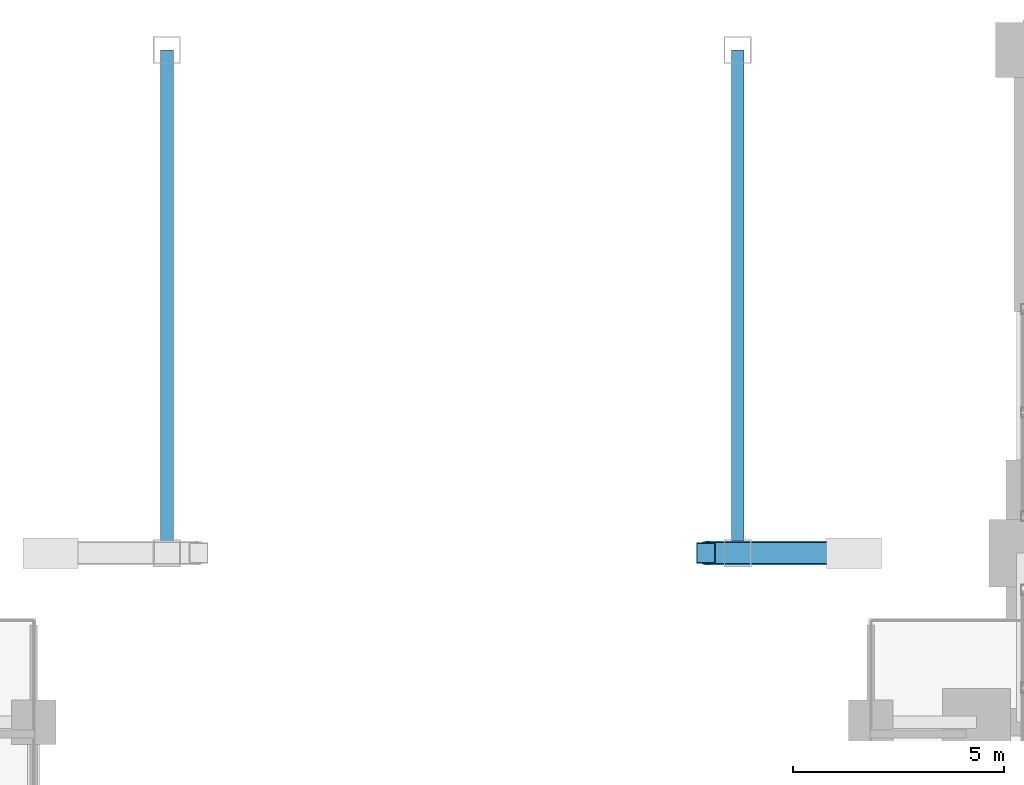
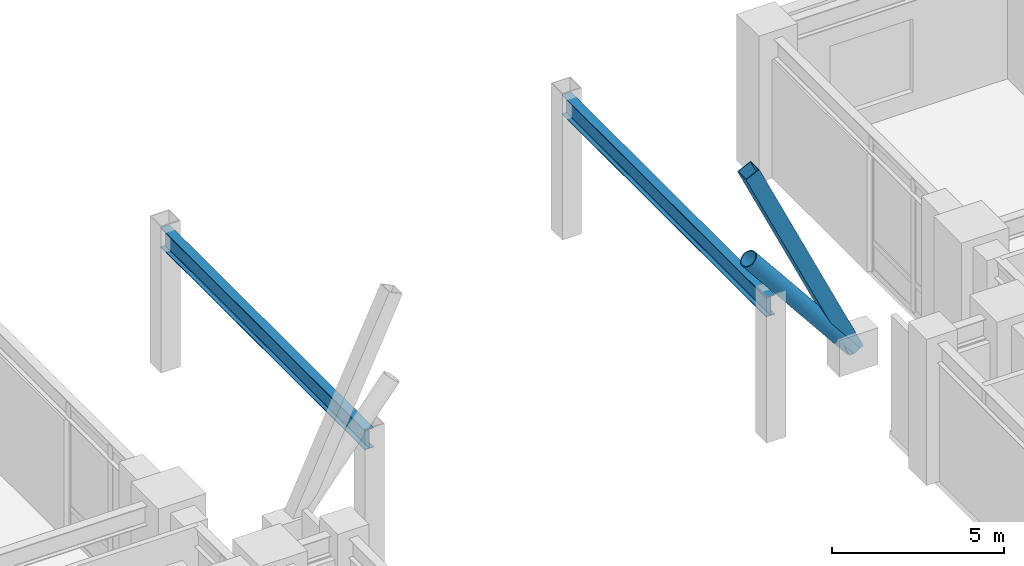
# One storey, part 12 of 26: 2 beams, 2 members.
"""IFC4 building model written with IfcOpenShell, lengths in metres."""

from ifc_helpers import new_model, si_unit, direction, frame, origin, origin_2d, place, context, subcontext, project, spatial, hollow_rectangle, hollow_circle, i_section, extrude, material, material_profile, profile_set, type_object, element, save


model = new_model("IFC4")

# Units and contexts
model_context = context("Model", 3, precision=1e-05, world=origin(), true_north=direction((0.0, 1.0)))
body_context = subcontext(model_context, "Body", "Model", "MODEL_VIEW")
ifc_project = project(units=[si_unit("LENGTHUNIT", "METRE"), si_unit("AREAUNIT", "SQUARE_METRE"), si_unit("VOLUMEUNIT", "CUBIC_METRE"), si_unit("PLANEANGLEUNIT", "RADIAN"), si_unit("MASSUNIT", "GRAM", prefix="KILO")], contexts=[model_context])

# Site, building, storey
site_placement = place(None, origin())
site = spatial("IfcSite", under=ifc_project, at=site_placement, CompositionType="ELEMENT")
building_placement = place(site_placement, origin())
building = spatial("IfcBuilding", under=site, at=building_placement, Name="Voryun Gate Residences", CompositionType="ELEMENT")
storey_placement = place(building_placement, frame((0.0, 0.0, 10.39990234375)))
storey = spatial("IfcBuildingStorey", under=building, at=storey_placement, Name="L02", CompositionType="ELEMENT", Elevation=10.39990234375)

# Beams
ifc_material_1 = material(Name="Steel SM355", Category="steel")
ifc_material_profile_1 = material_profile(ifc_material_1, i_section(OverallWidth=0.300048828125, OverallDepth=0.699951171875, WebThickness=0.012939453125, FlangeThickness=0.02392578125, FilletRadius=0.01806640625, at=origin_2d()), Name="H-700x300x13x24")
ifc_profile_set_1 = profile_set([ifc_material_profile_1], Name="Steel SM355")
beam_type = type_object("IfcBeamType", Name="BM_GIRD_700", PredefinedType="USERDEFINED", material=ifc_profile_set_1)
for number, where, z_axis, x_axis, name in (
    (1, (-6.75, 11.39990234375, 4.570068359375), (0.0, 1.0, 0.0), (-1.0, 0.0, 0.0), "BM-L02-APY-N--6.75"),
    (2, (6.75, 11.39990234375, 4.570068359375), (0.0, 1.0, 0.0), (-1.0, 0.0, 0.0), "BM-L02-APY-N-+6.75"),
):
    element("IfcBeam", number, at=place(storey_placement, frame(where, z_axis=z_axis, x_axis=x_axis)), inside=storey, type_object=beam_type, Name=name, ObjectType="GIRDER", PredefinedType="USERDEFINED", context=body_context, shape_type="SweptSolid", body=[
        extrude(i_section(OverallWidth=0.300048828125, OverallDepth=0.699951171875, WebThickness=0.012939453125, FlangeThickness=0.02392578125, FilletRadius=0.01806640625, at=origin_2d()), origin(), (0.0, 0.0, 1.0), 11.900146484375),
    ])

# Members
ifc_material_2 = material(Name="Steel SM420", Category="steel")
ifc_material_profile_2 = material_profile(ifc_material_2, hollow_rectangle(XDim=0.5, YDim=0.5, WallThickness=0.02392578125, at=origin_2d()), Name="BOX-500x500x24")
ifc_profile_set_2 = profile_set([ifc_material_profile_2], Name="Steel SM420")
member_type_1 = type_object("IfcMemberType", Name="MBR_ARCH_WEB", PredefinedType="BRACE", material=ifc_profile_set_2)
member_1_placement = place(storey_placement, frame((9.5, 11.39990234375, 2.170166015625), z_axis=(-0.423814209745, 0.0, 0.905749146077), x_axis=(0.0, -1.0, 0.0)))
element("IfcMember", 3, at=member_1_placement, inside=storey, type_object=member_type_1, Name="Parabolic Tied-Arch Web Brace N-7", PredefinedType="BRACE", context=body_context, shape_type="SweptSolid", body=[
    extrude(hollow_rectangle(XDim=0.5, YDim=0.5, WallThickness=0.02392578125, at=origin_2d()), origin(), (0.0, 0.0, 1.0), 8.25830078125),
])
ifc_material_3 = material(Name="Steel SM420", Category="steel")
ifc_material_profile_3 = material_profile(ifc_material_3, hollow_circle(Radius=0.280029296875, WallThickness=0.02587890625, at=origin_2d()), Name="CHS-560x26")
ifc_profile_set_3 = profile_set([ifc_material_profile_3], Name="Steel SM420")
member_type_2 = type_object("IfcMemberType", Name="MBR_CANT_STRUT_B2", PredefinedType="STRUT", material=ifc_profile_set_3)
member_2_placement = place(storey_placement, frame((6.0, 11.39990234375, 6.51611328125), z_axis=(0.627231505049, 0.0, -0.778832869795), x_axis=(0.0, 1.0, 0.0)))
element("IfcMember", 4, at=member_2_placement, inside=storey, type_object=member_type_2, Name="Parabolic Tied-Arch Rib Member N Segment 7", PredefinedType="STRUT", context=body_context, shape_type="SweptSolid", body=[
    extrude(hollow_circle(Radius=0.280029296875, WallThickness=0.02587890625, at=origin_2d()), origin(), (0.0, 0.0, 1.0), 5.580078125),
])

save(model, "model.ifc")
